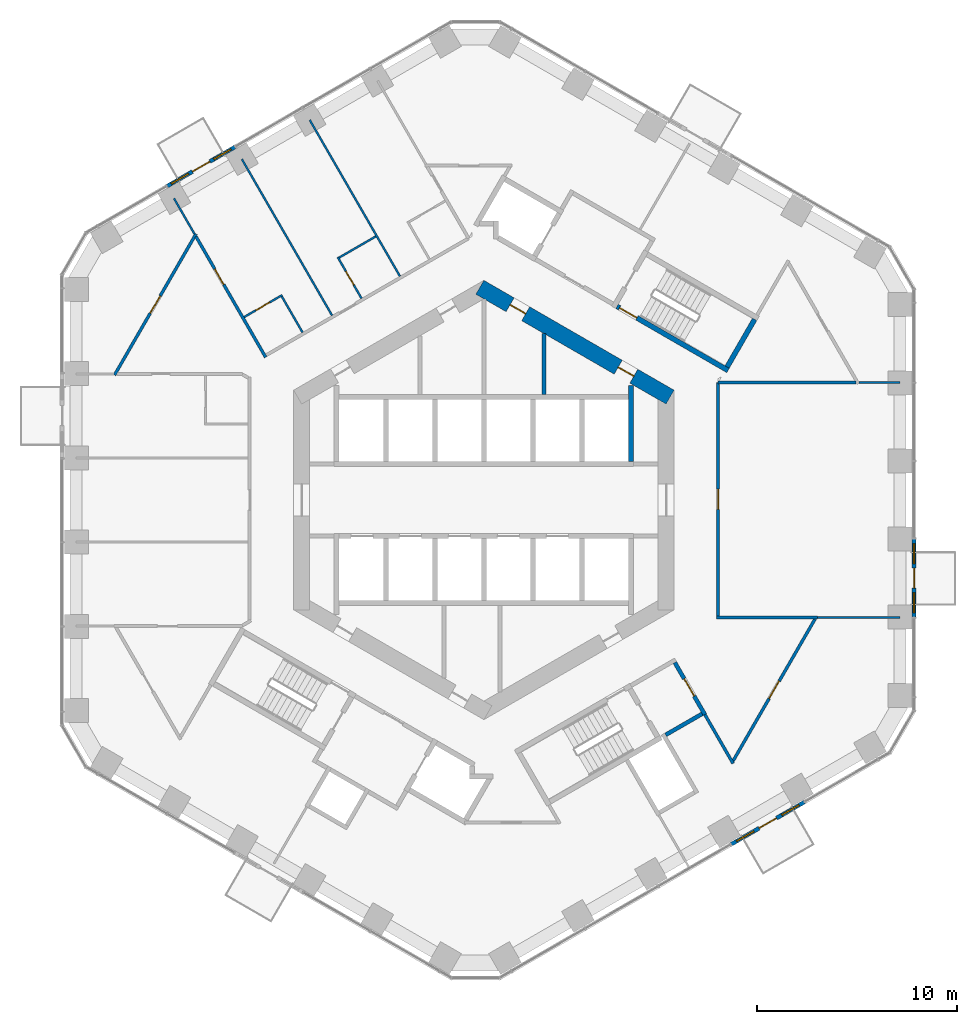
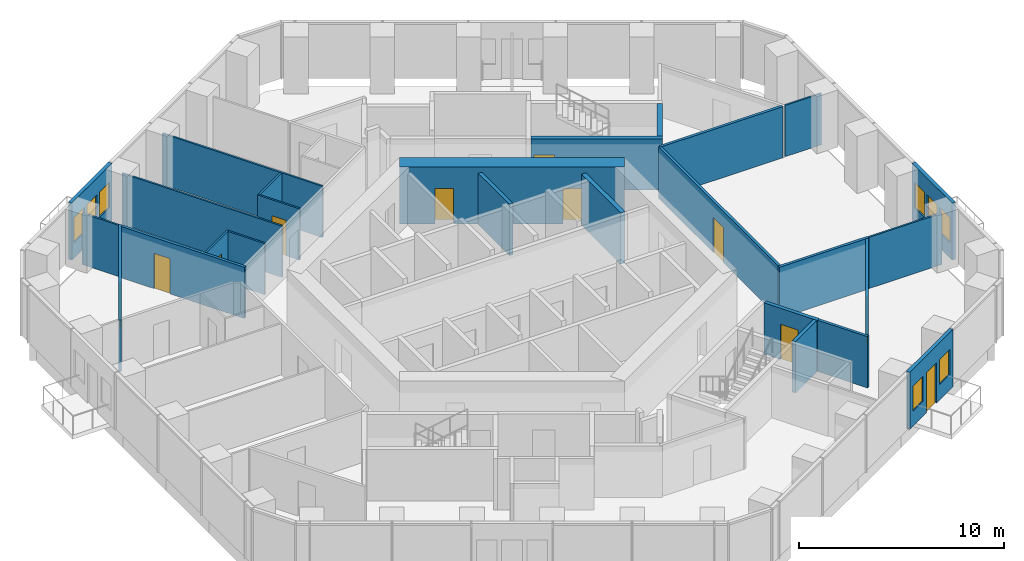
# One storey, part 15 of 20: 26 walls, 13 doors, 6 windows, 19 openings.
"""IFC4 building model written with IfcOpenShell, lengths in metres."""

import ifcopenshell
import ifcopenshell.guid

model = None  # the IFC model being written
_history = None  # IfcOwnerHistory: only IFC2X3 demands one
_inside = {}  # id of a spatial element -> (the spatial element, [elements in it])
_under = {}  # id of a project, library or spatial element -> (it, [spatial elements below it])
_declared = {}  # id of a project -> (the project, [libraries it declares])
_typed = {}  # id of a type object -> (the type object, [elements of that type])
_made_of = {}  # id of a material, layer set ... -> (it, [elements and type objects made of it])


def new_model(schema):
    """Start an empty IFC model of exactly this schema.

    Asked for "IFC4X3", IfcOpenShell would pick the latest addendum, in which some entities
    have other attributes; the version numbers below select the first issue.
    IFC2X3 requires an IfcOwnerHistory on every rooted entity: one is made here for all.
    """
    global model, _history
    if schema == "IFC4X3":
        model = ifcopenshell.file(schema_version=(4, 3, 0, 0))
    else:
        model = ifcopenshell.file(schema=schema)
    _inside.clear()
    _under.clear()
    _declared.clear()
    _typed.clear()
    _made_of.clear()
    _history = None
    if model.schema == "IFC2X3":
        org = make("IfcOrganization", Name="unknown")
        user = make(
            "IfcPersonAndOrganization",
            ThePerson=make("IfcPerson", FamilyName="unknown"),
            TheOrganization=org,
        )
        app = make(
            "IfcApplication",
            ApplicationDeveloper=org,
            Version="unknown",
            ApplicationFullName="unknown",
            ApplicationIdentifier="unknown",
        )
        _history = make(
            "IfcOwnerHistory",
            OwningUser=user,
            OwningApplication=app,
            ChangeAction="ADDED",
            CreationDate=0,
        )
    return model


def make(cls, **values):
    """One entity of the class cls with the attributes given. An attribute that is None is left unset."""
    return model.create_entity(
        cls, **{name: value for name, value in values.items() if value is not None}
    )


def rooted(cls, **values):
    """An entity with a GlobalId (a new one), such as an element, a storey or a relation."""
    return make(cls, GlobalId=ifcopenshell.guid.new(), OwnerHistory=_history, **values)


def si_unit(unit_type, name, prefix=None):
    """IfcSIUnit, for example si_unit("LENGTHUNIT", "METRE", prefix="MILLI")."""
    return make("IfcSIUnit", UnitType=unit_type, Prefix=prefix, Name=name)


def assignment(units):
    """IfcUnitAssignment: the units of a project."""
    return None if units is None else make("IfcUnitAssignment", Units=units)


def point(xyz):
    """IfcCartesianPoint."""
    return None if xyz is None else make("IfcCartesianPoint", Coordinates=xyz)


def direction(xyz):
    """IfcDirection."""
    return None if xyz is None else make("IfcDirection", DirectionRatios=xyz)


def frame(location, z_axis=None, x_axis=None):
    """IfcAxis2Placement3D, a coordinate frame: its origin and axes. An axis left out is left unset."""
    return make(
        "IfcAxis2Placement3D",
        Location=point(location),
        Axis=direction(z_axis),
        RefDirection=direction(x_axis),
    )


def frame_2d(location, x_axis=None):
    """IfcAxis2Placement2D, a coordinate frame in the plane: its origin and x axis."""
    return make(
        "IfcAxis2Placement2D", Location=point(location), RefDirection=direction(x_axis)
    )


def origin():
    """The frame at (0, 0, 0) with its axes left unset."""
    return frame((0.0, 0.0, 0.0))


def place(relative_to, where):
    """IfcLocalPlacement: puts the frame where relative to a parent placement (None: the world)."""
    return make(
        "IfcLocalPlacement", PlacementRelTo=relative_to, RelativePlacement=where
    )


def context(
    kind, dimensions, precision=None, world=None, true_north=None, identifier=None
):
    """IfcGeometricRepresentationContext, for example the 3D "Model" context."""
    return make(
        "IfcGeometricRepresentationContext",
        ContextIdentifier=identifier,
        ContextType=kind,
        CoordinateSpaceDimension=dimensions,
        Precision=precision,
        WorldCoordinateSystem=world,
        TrueNorth=true_north,
    )


def subcontext(parent, identifier, kind, view, scale=None):
    """IfcGeometricRepresentationSubContext, for example "Body" below "Model"."""
    return make(
        "IfcGeometricRepresentationSubContext",
        ContextIdentifier=identifier,
        ContextType=kind,
        ParentContext=parent,
        TargetScale=scale,
        TargetView=view,
    )


def project(units=None, contexts=None):
    """IfcProject with its units and contexts."""
    return rooted(
        "IfcProject",
        Name="project",
        RepresentationContexts=contexts,
        UnitsInContext=assignment(units),
    )


def spatial(cls, under=None, at=None, **own):
    """A site, building, storey or space (cls), placed at a placement, below another one or the project."""
    s = rooted(cls, ObjectPlacement=at, **own)
    if under is not None:
        _under.setdefault(under.id(), (under, []))[1].append(s)
    return s


def profile(cls, at=None, kind="AREA", **sizes):
    """A parametric profile (cls). Its sizes go by their IFC names, for example OverallWidth=200.0."""
    return make(cls, ProfileType=kind, Position=at, **sizes)


def rectangle(**sizes):
    """IfcRectangleProfileDef."""
    return profile("IfcRectangleProfileDef", **sizes)


def extrude(swept, where, along, depth):
    """IfcExtrudedAreaSolid: the profile swept, set in the frame where, extruded along a direction by depth."""
    return make(
        "IfcExtrudedAreaSolid",
        SweptArea=swept,
        Position=where,
        ExtrudedDirection=direction(along),
        Depth=depth,
    )


def shape(context_of_items, identifier, shape_type, items):
    """IfcShapeRepresentation: the items that make up one representation, for example the "Body"."""
    return make(
        "IfcShapeRepresentation",
        ContextOfItems=context_of_items,
        RepresentationIdentifier=identifier,
        RepresentationType=shape_type,
        Items=items,
    )


def material(Name=None, Category=None):
    """IfcMaterial."""
    return make("IfcMaterial", Name=Name, Category=Category)


def layer(
    of_material, thickness, ventilated=None, Name=None, Category=None, Priority=None
):
    """IfcMaterialLayer: one layer of a wall or slab, of a material (None: an air gap)."""
    return make(
        "IfcMaterialLayer",
        Material=of_material,
        LayerThickness=thickness,
        IsVentilated=ventilated,
        Name=Name,
        Category=Category,
        Priority=Priority,
    )


def layer_set(layers, Name=None):
    """IfcMaterialLayerSet."""
    return make("IfcMaterialLayerSet", MaterialLayers=layers, LayerSetName=Name)


def made_of(thing, what):
    """Note that an element or type object is made of a material, layer set ...; save() writes the relation."""
    if what is not None:
        _made_of.setdefault(what.id(), (what, []))[1].append(thing)
    return thing


def type_object(cls, material=None, **own):
    """A type object (cls), such as IfcWallType, which elements share."""
    return made_of(rooted(cls, **own), material)


def element(
    cls,
    number,
    at=None,
    inside=None,
    cuts=None,
    type_object=None,
    material=None,
    context=None,
    identifier="Body",
    shape_type=None,
    held_by="IfcProductDefinitionShape",
    body=None,
    shapes=None,
    **own,
):
    """One element of the class cls, such as IfcWall. Its Tag is "e" and its number.

    at: its placement. inside: the storey or other place that contains it. cuts: it is an
    opening in that element (IfcRelVoidsElement). A single representation is given by context,
    identifier, shape_type and body (its items); several are given by shapes. held_by: the class
    of the entity that holds the representations. save() writes the other relations.
    """
    e = rooted(cls, Tag="e%d" % number, ObjectPlacement=at, **own)
    if body is not None:
        shapes = [shape(context, identifier, shape_type, body)]
    if shapes is not None:
        e.Representation = make(held_by, Representations=shapes)
    if inside is not None:
        _inside.setdefault(inside.id(), (inside, []))[1].append(e)
    if cuts is not None:
        rooted(
            "IfcRelVoidsElement", RelatingBuildingElement=cuts, RelatedOpeningElement=e
        )
    if type_object is not None:
        _typed.setdefault(type_object.id(), (type_object, []))[1].append(e)
    return made_of(e, material)


def fill(opening, filler):
    """IfcRelFillsElement: the door or window that sits in an opening."""
    return rooted(
        "IfcRelFillsElement",
        RelatingOpeningElement=opening,
        RelatedBuildingElement=filler,
    )


def aggregate(whole, parts):
    """IfcRelAggregates: a whole, such as a stair, and the parts it consists of."""
    return rooted("IfcRelAggregates", RelatingObject=whole, RelatedObjects=parts)


def save(model, path):
    """Write the relations noted so far, then the file.

    IfcRelAggregates (storeys below a building ...), IfcRelContainedInSpatialStructure (elements
    in a storey), IfcRelDefinesByType, IfcRelAssociatesMaterial and IfcRelDeclares: one each for
    every whole, place, type object, material and project.
    """
    for whole, parts in _under.values():
        aggregate(whole, parts)
    for where, things in _inside.values():
        rooted(
            "IfcRelContainedInSpatialStructure",
            RelatedElements=things,
            RelatingStructure=where,
        )
    for kind, things in _typed.values():
        rooted("IfcRelDefinesByType", RelatedObjects=things, RelatingType=kind)
    for what, things in _made_of.values():
        rooted("IfcRelAssociatesMaterial", RelatedObjects=things, RelatingMaterial=what)
    for by, libraries in _declared.values():
        rooted("IfcRelDeclares", RelatingContext=by, RelatedDefinitions=libraries)
    model.write(path)


model = new_model("IFC4")

# Units and contexts
model_context = context("Model", 3, precision=1e-05, world=origin(), true_north=direction((0.0, 1.0)))
body_context = subcontext(model_context, "Body", "Model", "MODEL_VIEW")
ifc_project = project(units=[si_unit("LENGTHUNIT", "METRE"), si_unit("AREAUNIT", "SQUARE_METRE"), si_unit("VOLUMEUNIT", "CUBIC_METRE"), si_unit("PLANEANGLEUNIT", "RADIAN"), si_unit("MASSUNIT", "GRAM", prefix="KILO")], contexts=[model_context])

# Site, building, storey
site_placement = place(None, origin())
site = spatial("IfcSite", under=ifc_project, at=site_placement, CompositionType="ELEMENT")
building_placement = place(site_placement, origin())
building = spatial("IfcBuilding", under=site, at=building_placement, Name="Ayvan Gate Tower", CompositionType="ELEMENT")
storey_placement = place(building_placement, frame((0.0, 0.0, 49.300048828125)))
storey = spatial("IfcBuildingStorey", under=building, at=storey_placement, Name="L12", CompositionType="ELEMENT", Elevation=49.300048828125)

# Wall, openings, door, windows
ifc_material_1 = material(Name="Insulated metal panel wall")
ifc_layer_1 = layer(ifc_material_1, 0.199951171875)
ifc_layer_set_1 = layer_set([ifc_layer_1], Name="Insulated metal panel wall")
wall_type_1 = type_object("IfcWallType", Name="Balcony door wall 200", PredefinedType="SOLIDWALL", material=ifc_layer_set_1)
wall_1_placement = place(storey_placement, frame((-12.431640625, 17.630859375, 0.0), z_axis=(0.0, 0.0, 1.0), x_axis=(-0.866028250644, -0.499995069063, 0.0)))
wall_1 = element("IfcWall", 1, at=wall_1_placement, inside=storey, type_object=wall_type_1, Name="EW:L12:2:3", PredefinedType="SOLIDWALL", context=body_context, shape_type="SweptSolid", body=[
    extrude(rectangle(XDim=3.90185546875, YDim=0.199951171875, at=frame_2d((1.950927734375, 0.0))), origin(), (0.0, 0.0, 1.0), 3.39990234375),
])
opening_1_placement = place(wall_1_placement, frame((1.450927734375, 0.0, 0.0)))
opening_1 = element("IfcOpeningElement", 2, at=opening_1_placement, cuts=wall_1, Name="Opening L12-D92", PredefinedType="OPENING", context=body_context, shape_type="SweptSolid", body=[
    extrude(rectangle(XDim=1.0, YDim=2.39990234375, at=frame_2d((0.5, 1.199951171875))), frame((0.0, 0.10986328125, 0.0), z_axis=(0.0, -1.0, 0.0), x_axis=(1.0, 0.0, 0.0)), (0.0, 0.0, 1.0), 0.219970703125),
])
opening_2_placement = place(wall_1_placement, frame((0.2255859375, 0.0, 0.89990234375)))
opening_2 = element("IfcOpeningElement", 3, at=opening_2_placement, cuts=wall_1, Name="Opening W-B1", PredefinedType="OPENING", context=body_context, shape_type="SweptSolid", body=[
    extrude(rectangle(XDim=1.0, YDim=1.5, at=frame_2d((0.5, 0.75))), frame((0.0, 0.10986328125, 0.0), z_axis=(0.0, -1.0, 0.0), x_axis=(1.0, 0.0, 0.0)), (0.0, 0.0, 1.0), 0.219970703125),
])
opening_3_placement = place(wall_1_placement, frame((2.676513671875, 0.0, 0.89990234375)))
opening_3 = element("IfcOpeningElement", 4, at=opening_3_placement, cuts=wall_1, Name="Opening W-B1", PredefinedType="OPENING", context=body_context, shape_type="SweptSolid", body=[
    extrude(rectangle(XDim=1.0, YDim=1.5, at=frame_2d((0.5, 0.75))), frame((0.0, 0.10986328125, 0.0), z_axis=(0.0, -1.0, 0.0), x_axis=(1.0, 0.0, 0.0)), (0.0, 0.0, 1.0), 0.219970703125),
])
ifc_material_2 = material(Name="Bronze anodised aluminium and clear glass", Category="aluminium")
door_type_1 = type_object("IfcDoorType", Name="Balcony door D-B", OperationType="SINGLE_SWING_RIGHT", PredefinedType="DOOR", material=ifc_material_2)
door_1_placement = place(opening_1_placement, origin())
door_1 = element("IfcDoor", 5, at=door_1_placement, inside=storey, type_object=door_type_1, Name="Balcony door BAL-L12-2", OperationType="SINGLE_SWING_RIGHT", OverallHeight=2.39990234375, OverallWidth=1.0, PredefinedType="DOOR", context=body_context, shape_type="SweptSolid", body=[
    extrude(rectangle(XDim=1.0, YDim=2.39990234375, at=frame_2d((0.5, 1.199951171875))), frame((0.0, 0.02490234375, 0.0), z_axis=(0.0, -1.0, 0.0), x_axis=(1.0, 0.0, 0.0)), (0.0, 0.0, 1.0), 0.050048828125),
])
fill(opening_1, door_1)
window_type = type_object("IfcWindowType", Name="Balcony side light W-B Z1", PartitioningType="SINGLE_PANEL", PredefinedType="WINDOW", material=ifc_material_2)
window_1_placement = place(opening_2_placement, origin())
window_1 = element("IfcWindow", 6, at=window_1_placement, inside=storey, type_object=window_type, Name="Balcony side light BAL-L12-2.1", OverallHeight=1.5, OverallWidth=1.0, PartitioningType="SINGLE_PANEL", PredefinedType="WINDOW", context=body_context, shape_type="SweptSolid", body=[
    extrude(rectangle(XDim=1.0, YDim=1.5, at=frame_2d((0.5, 0.75))), frame((0.0, 0.030029296875, 0.0), z_axis=(0.0, -1.0, 0.0), x_axis=(1.0, 0.0, 0.0)), (0.0, 0.0, 1.0), 0.06005859375),
])
fill(opening_2, window_1)
window_2_placement = place(opening_3_placement, origin())
window_2 = element("IfcWindow", 7, at=window_2_placement, inside=storey, type_object=window_type, Name="Balcony side light BAL-L12-2.2", OverallHeight=1.5, OverallWidth=1.0, PartitioningType="SINGLE_PANEL", PredefinedType="WINDOW", context=body_context, shape_type="SweptSolid", body=[
    extrude(rectangle(XDim=1.0, YDim=1.5, at=frame_2d((0.5, 0.75))), frame((0.0, 0.030029296875, 0.0), z_axis=(0.0, -1.0, 0.0), x_axis=(1.0, 0.0, 0.0)), (0.0, 0.0, 1.0), 0.06005859375),
])
fill(opening_3, window_2)

wall_2_placement = place(storey_placement, frame((12.357666015625, -17.19384765625, 0.0), z_axis=(0.0, 0.0, 1.0), x_axis=(0.866029143232, 0.499993523031, 0.0)))
wall_2 = element("IfcWall", 8, at=wall_2_placement, inside=storey, type_object=wall_type_1, Name="EW:L12:5:3", PredefinedType="SOLIDWALL", context=body_context, shape_type="SweptSolid", body=[
    extrude(rectangle(XDim=4.2099609375, YDim=0.199951171875, at=frame_2d((2.10498046875, 0.0))), origin(), (0.0, 0.0, 1.0), 3.39990234375),
])
opening_4_placement = place(wall_2_placement, frame((1.60498046875, 0.0, 0.0)))
opening_4 = element("IfcOpeningElement", 9, at=opening_4_placement, cuts=wall_2, Name="Opening L12-D95", PredefinedType="OPENING", context=body_context, shape_type="SweptSolid", body=[
    extrude(rectangle(XDim=1.0, YDim=2.39990234375, at=frame_2d((0.5, 1.199951171875))), frame((0.0, 0.10986328125, 0.0), z_axis=(0.0, -1.0, 0.0), x_axis=(1.0, 0.0, 0.0)), (0.0, 0.0, 1.0), 0.219970703125),
])
opening_5_placement = place(wall_2_placement, frame((0.302490234375, 0.0, 0.89990234375)))
opening_5 = element("IfcOpeningElement", 10, at=opening_5_placement, cuts=wall_2, Name="Opening W-B1", PredefinedType="OPENING", context=body_context, shape_type="SweptSolid", body=[
    extrude(rectangle(XDim=1.0, YDim=1.5, at=frame_2d((0.5, 0.75))), frame((0.0, 0.10986328125, 0.0), z_axis=(0.0, -1.0, 0.0), x_axis=(1.0, 0.0, 0.0)), (0.0, 0.0, 1.0), 0.219970703125),
])
opening_6_placement = place(wall_2_placement, frame((2.907470703125, 0.0, 0.89990234375)))
opening_6 = element("IfcOpeningElement", 11, at=opening_6_placement, cuts=wall_2, Name="Opening W-B1", PredefinedType="OPENING", context=body_context, shape_type="SweptSolid", body=[
    extrude(rectangle(XDim=1.0, YDim=1.5, at=frame_2d((0.5, 0.75))), frame((0.0, 0.10986328125, 0.0), z_axis=(0.0, -1.0, 0.0), x_axis=(1.0, 0.0, 0.0)), (0.0, 0.0, 1.0), 0.219970703125),
])
door_2_placement = place(opening_4_placement, origin())
door_2 = element("IfcDoor", 12, at=door_2_placement, inside=storey, type_object=door_type_1, Name="Balcony door BAL-L12-5", OperationType="SINGLE_SWING_RIGHT", OverallHeight=2.39990234375, OverallWidth=1.0, PredefinedType="DOOR", context=body_context, shape_type="SweptSolid", body=[
    extrude(rectangle(XDim=1.0, YDim=2.39990234375, at=frame_2d((0.5, 1.199951171875))), frame((0.0, 0.02490234375, 0.0), z_axis=(0.0, -1.0, 0.0), x_axis=(1.0, 0.0, 0.0)), (0.0, 0.0, 1.0), 0.050048828125),
])
fill(opening_4, door_2)
window_3_placement = place(opening_5_placement, origin())
window_3 = element("IfcWindow", 13, at=window_3_placement, inside=storey, type_object=window_type, Name="Balcony side light BAL-L12-5.1", OverallHeight=1.5, OverallWidth=1.0, PartitioningType="SINGLE_PANEL", PredefinedType="WINDOW", context=body_context, shape_type="SweptSolid", body=[
    extrude(rectangle(XDim=1.0, YDim=1.5, at=frame_2d((0.5, 0.75))), frame((0.0, 0.030029296875, 0.0), z_axis=(0.0, -1.0, 0.0), x_axis=(1.0, 0.0, 0.0)), (0.0, 0.0, 1.0), 0.06005859375),
])
fill(opening_5, window_3)
window_4_placement = place(opening_6_placement, origin())
window_4 = element("IfcWindow", 14, at=window_4_placement, inside=storey, type_object=window_type, Name="Balcony side light BAL-L12-5.2", OverallHeight=1.5, OverallWidth=1.0, PartitioningType="SINGLE_PANEL", PredefinedType="WINDOW", context=body_context, shape_type="SweptSolid", body=[
    extrude(rectangle(XDim=1.0, YDim=1.5, at=frame_2d((0.5, 0.75))), frame((0.0, 0.030029296875, 0.0), z_axis=(0.0, -1.0, 0.0), x_axis=(1.0, 0.0, 0.0)), (0.0, 0.0, 1.0), 0.06005859375),
])
fill(opening_6, window_4)

wall_3_placement = place(storey_placement, frame((21.484619140625, -5.852294921875, 0.0), z_axis=(0.0, 0.0, 1.0), x_axis=(0.0, 1.0, 0.0)))
wall_3 = element("IfcWall", 15, at=wall_3_placement, inside=storey, type_object=wall_type_1, Name="EW:L12:0:1", PredefinedType="SOLIDWALL", context=body_context, shape_type="SweptSolid", body=[
    extrude(rectangle(XDim=3.90185546875, YDim=0.199951171875, at=frame_2d((1.950927734375, 0.0))), origin(), (0.0, 0.0, 1.0), 3.39990234375),
])
opening_7_placement = place(wall_3_placement, frame((1.450927734375, 0.0, 0.0)))
opening_7 = element("IfcOpeningElement", 16, at=opening_7_placement, cuts=wall_3, Name="Opening L12-D90", PredefinedType="OPENING", context=body_context, shape_type="SweptSolid", body=[
    extrude(rectangle(XDim=1.0, YDim=2.39990234375, at=frame_2d((0.5, 1.199951171875))), frame((0.0, 0.10986328125, 0.0), z_axis=(0.0, -1.0, 0.0), x_axis=(1.0, 0.0, 0.0)), (0.0, 0.0, 1.0), 0.219970703125),
])
opening_8_placement = place(wall_3_placement, frame((0.2255859375, 0.0, 0.89990234375)))
opening_8 = element("IfcOpeningElement", 17, at=opening_8_placement, cuts=wall_3, Name="Opening W-B1", PredefinedType="OPENING", context=body_context, shape_type="SweptSolid", body=[
    extrude(rectangle(XDim=1.0, YDim=1.5, at=frame_2d((0.5, 0.75))), frame((0.0, 0.10986328125, 0.0), z_axis=(0.0, -1.0, 0.0), x_axis=(1.0, 0.0, 0.0)), (0.0, 0.0, 1.0), 0.219970703125),
])
opening_9_placement = place(wall_3_placement, frame((2.676513671875, 0.0, 0.89990234375)))
opening_9 = element("IfcOpeningElement", 18, at=opening_9_placement, cuts=wall_3, Name="Opening W-B1", PredefinedType="OPENING", context=body_context, shape_type="SweptSolid", body=[
    extrude(rectangle(XDim=1.0, YDim=1.5, at=frame_2d((0.5, 0.75))), frame((0.0, 0.10986328125, 0.0), z_axis=(0.0, -1.0, 0.0), x_axis=(1.0, 0.0, 0.0)), (0.0, 0.0, 1.0), 0.219970703125),
])
door_3_placement = place(opening_7_placement, origin())
door_3 = element("IfcDoor", 19, at=door_3_placement, inside=storey, type_object=door_type_1, Name="Balcony door BAL-L12-0", OperationType="SINGLE_SWING_RIGHT", OverallHeight=2.39990234375, OverallWidth=1.0, PredefinedType="DOOR", context=body_context, shape_type="SweptSolid", body=[
    extrude(rectangle(XDim=1.0, YDim=2.39990234375, at=frame_2d((0.5, 1.199951171875))), frame((0.0, 0.02490234375, 0.0), z_axis=(0.0, -1.0, 0.0), x_axis=(1.0, 0.0, 0.0)), (0.0, 0.0, 1.0), 0.050048828125),
])
fill(opening_7, door_3)
window_5_placement = place(opening_8_placement, origin())
window_5 = element("IfcWindow", 20, at=window_5_placement, inside=storey, type_object=window_type, Name="Balcony side light BAL-L12-0.1", OverallHeight=1.5, OverallWidth=1.0, PartitioningType="SINGLE_PANEL", PredefinedType="WINDOW", context=body_context, shape_type="SweptSolid", body=[
    extrude(rectangle(XDim=1.0, YDim=1.5, at=frame_2d((0.5, 0.75))), frame((0.0, 0.030029296875, 0.0), z_axis=(0.0, -1.0, 0.0), x_axis=(1.0, 0.0, 0.0)), (0.0, 0.0, 1.0), 0.06005859375),
])
fill(opening_8, window_5)
window_6_placement = place(opening_9_placement, origin())
window_6 = element("IfcWindow", 21, at=window_6_placement, inside=storey, type_object=window_type, Name="Balcony side light BAL-L12-0.2", OverallHeight=1.5, OverallWidth=1.0, PartitioningType="SINGLE_PANEL", PredefinedType="WINDOW", context=body_context, shape_type="SweptSolid", body=[
    extrude(rectangle(XDim=1.0, YDim=1.5, at=frame_2d((0.5, 0.75))), frame((0.0, 0.030029296875, 0.0), z_axis=(0.0, -1.0, 0.0), x_axis=(1.0, 0.0, 0.0)), (0.0, 0.0, 1.0), 0.06005859375),
])
fill(opening_9, window_6)

# Wall, openings, doors
ifc_material_3 = material(Name="Concrete C70/85", Category="concrete")
ifc_layer_2 = layer(ifc_material_3, 0.800048828125)
ifc_layer_set_2 = layer_set([ifc_layer_2], Name="Concrete C70/85")
wall_type_2 = type_object("IfcWallType", Name="Core wall 800 C70/85", PredefinedType="SHEAR", material=ifc_layer_set_2)
wall_4_placement = place(storey_placement, frame((9.300048828125, 5.138427734375, 0.0), z_axis=(0.0, 0.0, 1.0), x_axis=(-0.866023993627, 0.500002442456, 0.0)))
wall_4 = element("IfcWall", 22, at=wall_4_placement, inside=storey, type_object=wall_type_2, Name="CORE-L12-1", PredefinedType="SHEAR", context=body_context, shape_type="SweptSolid", body=[
    extrude(rectangle(XDim=10.9697265625, YDim=0.800048828125, at=frame_2d((5.48486328125, 0.0))), origin(), (0.0, 0.0, 1.0), 3.39990234375),
])
opening_10_placement = place(wall_4_placement, frame((8.326416015625, 0.0, 0.0)))
opening_10 = element("IfcOpeningElement", 23, at=opening_10_placement, cuts=wall_4, Name="Opening L12-D98", PredefinedType="OPENING", context=body_context, shape_type="SweptSolid", body=[
    extrude(rectangle(XDim=0.89990234375, YDim=2.10009765625, at=frame_2d((0.449951171875, 1.050048828125))), frame((0.0, 0.409912109375, 0.0), z_axis=(0.0, -1.0, 0.0), x_axis=(1.0, 0.0, 0.0)), (0.0, 0.0, 1.0), 0.820068359375),
])
opening_11_placement = place(wall_4_placement, frame((2.09130859375, 0.0, 0.0)))
opening_11 = element("IfcOpeningElement", 24, at=opening_11_placement, cuts=wall_4, Name="Opening L12-D99", PredefinedType="OPENING", context=body_context, shape_type="SweptSolid", body=[
    extrude(rectangle(XDim=0.89990234375, YDim=2.10009765625, at=frame_2d((0.449951171875, 1.050048828125))), frame((0.0, 0.409912109375, 0.0), z_axis=(0.0, -1.0, 0.0), x_axis=(1.0, 0.0, 0.0)), (0.0, 0.0, 1.0), 0.820068359375),
])
ifc_material_4 = material(Name="Timber door leaf", Category="wood")
door_type_2 = type_object("IfcDoorType", Name="DT-900", OperationType="NOTDEFINED", PredefinedType="DOOR", material=ifc_material_4)
door_4_placement = place(opening_10_placement, origin())
door_4 = element("IfcDoor", 25, at=door_4_placement, inside=storey, type_object=door_type_2, Name="CD-L12-98", OperationType="SINGLE_SWING_RIGHT", OverallHeight=2.10009765625, OverallWidth=0.89990234375, PredefinedType="DOOR", context=body_context, shape_type="SweptSolid", body=[
    extrude(rectangle(XDim=0.89990234375, YDim=2.10009765625, at=frame_2d((0.449951171875, 1.050048828125))), frame((0.0, 0.02490234375, 0.0), z_axis=(0.0, -1.0, 0.0), x_axis=(1.0, 0.0, 0.0)), (0.0, 0.0, 1.0), 0.050048828125),
])
fill(opening_10, door_4)
door_5_placement = place(opening_11_placement, origin())
door_5 = element("IfcDoor", 26, at=door_5_placement, inside=storey, type_object=door_type_2, Name="CD-L12-99", OperationType="SINGLE_SWING_LEFT", OverallHeight=2.10009765625, OverallWidth=0.89990234375, PredefinedType="DOOR", context=body_context, shape_type="SweptSolid", body=[
    extrude(rectangle(XDim=0.89990234375, YDim=2.10009765625, at=frame_2d((0.449951171875, 1.050048828125))), frame((0.0, 0.02490234375, 0.0), z_axis=(0.0, -1.0, 0.0), x_axis=(1.0, 0.0, 0.0)), (0.0, 0.0, 1.0), 0.050048828125),
])
fill(opening_11, door_5)

# Wall, opening, door
ifc_material_5 = material(Name="Plasterboard on steel stud", Category="steel")
ifc_layer_3 = layer(ifc_material_5, 0.14990234375)
ifc_layer_set_3 = layer_set([ifc_layer_3], Name="Plasterboard on steel stud")
wall_type_3 = type_object("IfcWallType", Name="WT-CORR-150", PredefinedType="PARTITIONING", material=ifc_layer_set_3)
wall_5_placement = place(storey_placement, frame((-18.44775390625, 6.23974609375, 0.0), z_axis=(0.0, 0.0, 1.0), x_axis=(0.499997699084, 0.866026732215, 0.0)))
wall_5 = element("IfcWall", 27, at=wall_5_placement, inside=storey, type_object=wall_type_3, Name="IW-L12-002", PredefinedType="PARTITIONING", context=body_context, shape_type="SweptSolid", body=[
    extrude(rectangle(XDim=8.138671875, YDim=0.14990234375, at=frame_2d((4.0693359375, 0.0))), origin(), (0.0, 0.0, 1.0), 3.050048828125),
])
opening_12_placement = place(wall_5_placement, frame((3.5693359375, 0.0, 0.0)))
opening_12 = element("IfcOpeningElement", 28, at=opening_12_placement, cuts=wall_5, Name="Opening L12-D20", PredefinedType="OPENING", context=body_context, shape_type="SweptSolid", body=[
    extrude(rectangle(XDim=1.0, YDim=2.10009765625, at=frame_2d((0.5, 1.050048828125))), frame((0.0, 0.0849609375, 0.0), z_axis=(0.0, -1.0, 0.0), x_axis=(1.0, 0.0, 0.0)), (0.0, 0.0, 1.0), 0.169921875),
])
door_type_3 = type_object("IfcDoorType", Name="DT-1000", OperationType="NOTDEFINED", PredefinedType="DOOR", material=ifc_material_4)
door_6_placement = place(opening_12_placement, origin())
door_6 = element("IfcDoor", 29, at=door_6_placement, inside=storey, type_object=door_type_3, Name="ID-L12-020", OperationType="SINGLE_SWING_RIGHT", OverallHeight=2.10009765625, OverallWidth=1.0, PredefinedType="DOOR", context=body_context, shape_type="SweptSolid", body=[
    extrude(rectangle(XDim=1.0, YDim=2.10009765625, at=frame_2d((0.5, 1.050048828125))), frame((0.0, 0.02490234375, 0.0), z_axis=(0.0, -1.0, 0.0), x_axis=(1.0, 0.0, 0.0)), (0.0, 0.0, 1.0), 0.050048828125),
])
fill(opening_12, door_6)

wall_6_placement = place(storey_placement, frame((-14.37841796875, 13.158203125, 0.0), z_axis=(0.0, 0.0, 1.0), x_axis=(0.499998787219, -0.866026103983, 0.0)))
wall_6 = element("IfcWall", 30, at=wall_6_placement, inside=storey, type_object=wall_type_3, Name="IW-L12-006", PredefinedType="PARTITIONING", context=body_context, shape_type="SweptSolid", body=[
    extrude(rectangle(XDim=6.95947265625, YDim=0.14990234375, at=frame_2d((3.479736328125, 0.0))), origin(), (0.0, 0.0, 1.0), 3.050048828125),
])
opening_13_placement = place(wall_6_placement, frame((1.877197265625, 0.0, 0.0)))
opening_13 = element("IfcOpeningElement", 31, at=opening_13_placement, cuts=wall_6, Name="Opening L12-D32", PredefinedType="OPENING", context=body_context, shape_type="SweptSolid", body=[
    extrude(rectangle(XDim=0.89990234375, YDim=2.10009765625, at=frame_2d((0.449951171875, 1.050048828125))), frame((0.0, 0.0849609375, 0.0), z_axis=(0.0, -1.0, 0.0), x_axis=(1.0, 0.0, 0.0)), (0.0, 0.0, 1.0), 0.169921875),
])
door_7_placement = place(opening_13_placement, origin())
door_7 = element("IfcDoor", 32, at=door_7_placement, inside=storey, type_object=door_type_2, Name="ID-L12-032", OperationType="SINGLE_SWING_RIGHT", OverallHeight=2.10009765625, OverallWidth=0.89990234375, PredefinedType="DOOR", context=body_context, shape_type="SweptSolid", body=[
    extrude(rectangle(XDim=0.89990234375, YDim=2.10009765625, at=frame_2d((0.449951171875, 1.050048828125))), frame((0.0, 0.02490234375, 0.0), z_axis=(0.0, -1.0, 0.0), x_axis=(1.0, 0.0, 0.0)), (0.0, 0.0, 1.0), 0.050048828125),
])
fill(opening_13, door_7)

# Wall
wall_7_placement = place(storey_placement, frame((11.625, -5.873046875, 0.0), z_axis=(0.0, 0.0, 1.0), x_axis=(1.0, 0.0, 0.0)))
element("IfcWall", 33, at=wall_7_placement, inside=storey, type_object=wall_type_3, Name="IW-L12-103", PredefinedType="PARTITIONING", context=body_context, shape_type="SweptSolid", body=[
    extrude(rectangle(XDim=5.031005859375, YDim=0.14990234375, at=frame_2d((2.515625, 0.0))), origin(), (0.0, 0.0, 1.0), 3.050048828125),
])

# Wall, opening, door
wall_8_placement = place(storey_placement, frame((11.699951171875, 5.873046875, 0.0), z_axis=(0.0, 0.0, 1.0), x_axis=(0.0, -1.0, 0.0)))
wall_8 = element("IfcWall", 34, at=wall_8_placement, inside=storey, type_object=wall_type_3, Name="IW-L12-104", PredefinedType="PARTITIONING", context=body_context, shape_type="SweptSolid", body=[
    extrude(rectangle(XDim=11.671142578125, YDim=0.14990234375, at=frame_2d((5.83544921875, 0.0))), origin(), (0.0, 0.0, 1.0), 3.050048828125),
])
opening_14_placement = place(wall_8_placement, frame((5.335693359375, 0.0, 0.0)))
opening_14 = element("IfcOpeningElement", 35, at=opening_14_placement, cuts=wall_8, Name="Opening L12-D17", PredefinedType="OPENING", context=body_context, shape_type="SweptSolid", body=[
    extrude(rectangle(XDim=1.0, YDim=2.10009765625, at=frame_2d((0.5, 1.050048828125))), frame((0.0, 0.0849609375, 0.0), z_axis=(0.0, -1.0, 0.0), x_axis=(1.0, 0.0, 0.0)), (0.0, 0.0, 1.0), 0.169921875),
])
door_8_placement = place(opening_14_placement, origin())
door_8 = element("IfcDoor", 36, at=door_8_placement, inside=storey, type_object=door_type_3, Name="ID-L12-017", OperationType="SINGLE_SWING_LEFT", OverallHeight=2.10009765625, OverallWidth=1.0, PredefinedType="DOOR", context=body_context, shape_type="SweptSolid", body=[
    extrude(rectangle(XDim=1.0, YDim=2.10009765625, at=frame_2d((0.5, 1.050048828125))), frame((0.0, 0.02490234375, 0.0), z_axis=(0.0, -1.0, 0.0), x_axis=(1.0, 0.0, 0.0)), (0.0, 0.0, 1.0), 0.050048828125),
])
fill(opening_14, door_8)

# Wall
wall_9_placement = place(storey_placement, frame((12.4482421875, -13.160888671875, 0.0), z_axis=(0.0, 0.0, 1.0), x_axis=(-0.499982078236, 0.866035750673, 0.0)))
element("IfcWall", 37, at=wall_9_placement, inside=storey, type_object=wall_type_3, Name="IW-L12-106", PredefinedType="PARTITIONING", context=body_context, shape_type="SweptSolid", body=[
    extrude(rectangle(XDim=2.82177734375, YDim=0.14990234375, at=frame_2d((1.410888671875, 0.0))), origin(), (0.0, 0.0, 1.0), 3.050048828125),
])

# Wall, opening, door
wall_10_placement = place(storey_placement, frame((16.54345703125, -5.93798828125, 0.0), z_axis=(0.0, 0.0, 1.0), x_axis=(-0.500005424275, -0.866022272055, 0.0)))
wall_10 = element("IfcWall", 38, at=wall_10_placement, inside=storey, type_object=wall_type_3, Name="IW-L12-110", PredefinedType="PARTITIONING", context=body_context, shape_type="SweptSolid", body=[
    extrude(rectangle(XDim=8.1904296875, YDim=0.14990234375, at=frame_2d((4.09521484375, 0.0))), origin(), (0.0, 0.0, 1.0), 3.050048828125),
])
opening_15_placement = place(wall_10_placement, frame((3.59521484375, 0.0, 0.0)))
opening_15 = element("IfcOpeningElement", 39, at=opening_15_placement, cuts=wall_10, Name="Opening L12-D27", PredefinedType="OPENING", context=body_context, shape_type="SweptSolid", body=[
    extrude(rectangle(XDim=1.0, YDim=2.10009765625, at=frame_2d((0.5, 1.050048828125))), frame((0.0, 0.0849609375, 0.0), z_axis=(0.0, -1.0, 0.0), x_axis=(1.0, 0.0, 0.0)), (0.0, 0.0, 1.0), 0.169921875),
])
door_9_placement = place(opening_15_placement, origin())
door_9 = element("IfcDoor", 40, at=door_9_placement, inside=storey, type_object=door_type_3, Name="ID-L12-027", OperationType="SINGLE_SWING_LEFT", OverallHeight=2.10009765625, OverallWidth=1.0, PredefinedType="DOOR", context=body_context, shape_type="SweptSolid", body=[
    extrude(rectangle(XDim=1.0, YDim=2.10009765625, at=frame_2d((0.5, 1.050048828125))), frame((0.0, 0.02490234375, 0.0), z_axis=(0.0, -1.0, 0.0), x_axis=(1.0, 0.0, 0.0)), (0.0, 0.0, 1.0), 0.050048828125),
])
fill(opening_15, door_9)

# Walls
wall_11_placement = place(storey_placement, frame((18.58447265625, 5.873046875, 0.0), z_axis=(0.0, 0.0, 1.0), x_axis=(-1.0, 0.0, 0.0)))
element("IfcWall", 41, at=wall_11_placement, inside=storey, type_object=wall_type_3, Name="IW-L12-112", PredefinedType="PARTITIONING", context=body_context, shape_type="SweptSolid", body=[
    extrude(rectangle(XDim=6.8798828125, YDim=0.14990234375, at=frame_2d((3.43994140625, 0.0))), origin(), (0.0, 0.0, 1.0), 3.050048828125),
])
ifc_layer_4 = layer(ifc_material_5, 0.10009765625)
ifc_layer_set_4 = layer_set([ifc_layer_4], Name="Plasterboard on steel stud")
wall_type_4 = type_object("IfcWallType", Name="WT-PART-100", PredefinedType="PARTITIONING", material=ifc_layer_set_4)
wall_12_placement = place(storey_placement, frame((-15.478515625, 15.0634765625, 0.0), z_axis=(0.0, 0.0, 1.0), x_axis=(0.500045446624, -0.865999163574, 0.0)))
element("IfcWall", 42, at=wall_12_placement, inside=storey, type_object=wall_type_4, Name="IW-L12-004", PredefinedType="PARTITIONING", context=body_context, shape_type="SweptSolid", body=[
    extrude(rectangle(XDim=2.050048828125, YDim=0.10009765625, at=frame_2d((1.02490234375, 0.0))), origin(), (0.0, 0.0, 1.0), 3.050048828125),
])

# Wall, opening, door
wall_13_placement = place(storey_placement, frame((-10.07421875, 10.23388671875, 0.0), z_axis=(0.0, 0.0, 1.0), x_axis=(-0.866074224396, -0.499915430684, 0.0)))
wall_13 = element("IfcWall", 43, at=wall_13_placement, inside=storey, type_object=wall_type_4, Name="IW-L12-019", PredefinedType="PARTITIONING", context=body_context, shape_type="SweptSolid", body=[
    extrude(rectangle(XDim=2.1904296875, YDim=0.10009765625, at=frame_2d((1.09521484375, 0.0))), origin(), (0.0, 0.0, 1.0), 3.050048828125),
])
opening_16_placement = place(wall_13_placement, frame((0.72021484375, 0.0, 0.0)))
opening_16 = element("IfcOpeningElement", 44, at=opening_16_placement, cuts=wall_13, Name="Opening L12-D33", PredefinedType="OPENING", context=body_context, shape_type="SweptSolid", body=[
    extrude(rectangle(XDim=0.800048828125, YDim=2.10009765625, at=frame_2d((0.39990234375, 1.050048828125))), frame((0.0, 0.06005859375, 0.0), z_axis=(0.0, -1.0, 0.0), x_axis=(1.0, 0.0, 0.0)), (0.0, 0.0, 1.0), 0.1201171875),
])
door_type_4 = type_object("IfcDoorType", Name="DT-800", OperationType="NOTDEFINED", PredefinedType="DOOR", material=ifc_material_4)
door_10_placement = place(opening_16_placement, origin())
door_10 = element("IfcDoor", 45, at=door_10_placement, inside=storey, type_object=door_type_4, Name="ID-L12-033", OperationType="SINGLE_SWING_LEFT", OverallHeight=2.10009765625, OverallWidth=0.800048828125, PredefinedType="DOOR", context=body_context, shape_type="SweptSolid", body=[
    extrude(rectangle(XDim=0.800048828125, YDim=2.10009765625, at=frame_2d((0.39990234375, 1.050048828125))), frame((0.0, 0.02490234375, 0.0), z_axis=(0.0, -1.0, 0.0), x_axis=(1.0, 0.0, 0.0)), (0.0, 0.0, 1.0), 0.050048828125),
])
fill(opening_16, door_10)

# Walls
wall_14_placement = place(storey_placement, frame((-9.05517578125, 8.36865234375, 0.0), z_axis=(0.0, 0.0, 1.0), x_axis=(-0.499973702503, 0.866040586119, 0.0)))
element("IfcWall", 46, at=wall_14_placement, inside=storey, type_object=wall_type_4, Name="IW-L12-020", PredefinedType="PARTITIONING", context=body_context, shape_type="SweptSolid", body=[
    extrude(rectangle(XDim=2.07470703125, YDim=0.10009765625, at=frame_2d((1.037353515625, 0.0))), origin(), (0.0, 0.0, 1.0), 3.050048828125),
])
wall_15_placement = place(storey_placement, frame((-7.5830078125, 9.218505859375, 0.0), z_axis=(0.0, 0.0, 1.0), x_axis=(-0.499977347544, 0.866038481791, 0.0)))
element("IfcWall", 47, at=wall_15_placement, inside=storey, type_object=wall_type_4, Name="IW-L12-027", PredefinedType="PARTITIONING", context=body_context, shape_type="SweptSolid", body=[
    extrude(rectangle(XDim=9.009765625, YDim=0.10009765625, at=frame_2d((4.5048828125, 0.0))), origin(), (0.0, 0.0, 1.0), 3.050048828125),
])

# Wall, opening, door
wall_16_placement = place(storey_placement, frame((-7.298095703125, 12.12548828125, 0.0), z_axis=(0.0, 0.0, 1.0), x_axis=(0.499986429846, -0.866033238375, 0.0)))
wall_16 = element("IfcWall", 48, at=wall_16_placement, inside=storey, type_object=wall_type_4, Name="IW-L12-033", PredefinedType="PARTITIONING", context=body_context, shape_type="SweptSolid", body=[
    extrude(rectangle(XDim=2.375, YDim=0.10009765625, at=frame_2d((1.1875, 0.0))), origin(), (0.0, 0.0, 1.0), 3.050048828125),
])
opening_17_placement = place(wall_16_placement, frame((0.8125, 0.0, 0.0)))
opening_17 = element("IfcOpeningElement", 49, at=opening_17_placement, cuts=wall_16, Name="Opening L12-D31", PredefinedType="OPENING", context=body_context, shape_type="SweptSolid", body=[
    extrude(rectangle(XDim=0.800048828125, YDim=2.10009765625, at=frame_2d((0.39990234375, 1.050048828125))), frame((0.0, 0.06005859375, 0.0), z_axis=(0.0, -1.0, 0.0), x_axis=(1.0, 0.0, 0.0)), (0.0, 0.0, 1.0), 0.1201171875),
])
door_11_placement = place(opening_17_placement, origin())
door_11 = element("IfcDoor", 50, at=door_11_placement, inside=storey, type_object=door_type_4, Name="ID-L12-031", OperationType="SINGLE_SWING_LEFT", OverallHeight=2.10009765625, OverallWidth=0.800048828125, PredefinedType="DOOR", context=body_context, shape_type="SweptSolid", body=[
    extrude(rectangle(XDim=0.800048828125, YDim=2.10009765625, at=frame_2d((0.39990234375, 1.050048828125))), frame((0.0, 0.02490234375, 0.0), z_axis=(0.0, -1.0, 0.0), x_axis=(1.0, 0.0, 0.0)), (0.0, 0.0, 1.0), 0.050048828125),
])
fill(opening_17, door_11)

# Walls
wall_17_placement = place(storey_placement, frame((-5.39794921875, 13.164794921875, 0.0), z_axis=(0.0, 0.0, 1.0), x_axis=(-0.86601836006, -0.500012199891, 0.0)))
element("IfcWall", 51, at=wall_17_placement, inside=storey, type_object=wall_type_4, Name="IW-L12-039", PredefinedType="PARTITIONING", context=body_context, shape_type="SweptSolid", body=[
    extrude(rectangle(XDim=2.115234375, YDim=0.10009765625, at=frame_2d((1.0576171875, 0.0))), origin(), (0.0, 0.0, 1.0), 3.050048828125),
])
wall_18_placement = place(storey_placement, frame((-8.697021484375, 18.978759765625, 0.0), z_axis=(0.0, 0.0, 1.0), x_axis=(0.500009404554, -0.866019973994, 0.0)))
element("IfcWall", 52, at=wall_18_placement, inside=storey, type_object=wall_type_4, Name="IW-L12-040", PredefinedType="PARTITIONING", context=body_context, shape_type="SweptSolid", body=[
    extrude(rectangle(XDim=9.009521484375, YDim=0.10009765625, at=frame_2d((4.5048828125, 0.0))), origin(), (0.0, 0.0, 1.0), 3.050048828125),
])
wall_19_placement = place(storey_placement, frame((18.734375, 5.873046875, 0.0), z_axis=(0.0, 0.0, 1.0), x_axis=(1.0, 0.0, 0.0)))
element("IfcWall", 53, at=wall_19_placement, inside=storey, type_object=wall_type_4, Name="IW-L12-111", PredefinedType="PARTITIONING", context=body_context, shape_type="SweptSolid", body=[
    extrude(rectangle(XDim=2.05029296875, YDim=0.10009765625, at=frame_2d((1.025146484375, 0.0))), origin(), (0.0, 0.0, 1.0), 3.050048828125),
])
wall_20_placement = place(storey_placement, frame((20.78466796875, -5.873046875, 0.0), z_axis=(0.0, 0.0, 1.0), x_axis=(-1.0, 0.0, 0.0)))
element("IfcWall", 54, at=wall_20_placement, inside=storey, type_object=wall_type_4, Name="IW-L12-113", PredefinedType="PARTITIONING", context=body_context, shape_type="SweptSolid", body=[
    extrude(rectangle(XDim=4.128662109375, YDim=0.10009765625, at=frame_2d((2.064453125, 0.0))), origin(), (0.0, 0.0, 1.0), 3.050048828125),
])
ifc_layer_5 = layer(ifc_material_5, 0.199951171875)
ifc_layer_set_5 = layer_set([ifc_layer_5], Name="Plasterboard on steel stud")
wall_type_5 = type_object("IfcWallType", Name="WT-RATED-200", PredefinedType="PARTITIONING", material=ifc_layer_set_5)
wall_21_placement = place(storey_placement, frame((3.0, 8.313720703125, 0.0), z_axis=(0.0, 0.0, 1.0), x_axis=(0.0, -1.0, 0.0)))
element("IfcWall", 55, at=wall_21_placement, inside=storey, type_object=wall_type_5, Name="IW-L12-076", PredefinedType="PARTITIONING", context=body_context, shape_type="SweptSolid", body=[
    extrude(rectangle(XDim=3.038818359375, YDim=0.199951171875, at=frame_2d((1.51953125, 0.0))), origin(), (0.0, 0.0, 1.0), 3.050048828125),
])

# Wall, opening, door
wall_22_placement = place(storey_placement, frame((9.537353515625, -8.119140625, 0.0), z_axis=(0.0, 0.0, 1.0), x_axis=(0.499990139034, -0.866031096941, 0.0)))
wall_22 = element("IfcWall", 56, at=wall_22_placement, inside=storey, type_object=wall_type_5, Name="IW-L12-100", PredefinedType="PARTITIONING", context=body_context, shape_type="SweptSolid", body=[
    extrude(rectangle(XDim=3.0, YDim=0.199951171875, at=frame_2d((1.5, 0.0))), origin(), (0.0, 0.0, 1.0), 3.050048828125),
])
opening_18_placement = place(wall_22_placement, frame((0.93505859375, 0.0, 0.0)))
opening_18 = element("IfcOpeningElement", 57, at=opening_18_placement, cuts=wall_22, Name="Opening L12-D15", PredefinedType="OPENING", context=body_context, shape_type="SweptSolid", body=[
    extrude(rectangle(XDim=1.0, YDim=2.10009765625, at=frame_2d((0.5, 1.050048828125))), frame((0.0, 0.10986328125, 0.0), z_axis=(0.0, -1.0, 0.0), x_axis=(1.0, 0.0, 0.0)), (0.0, 0.0, 1.0), 0.219970703125),
])
door_12_placement = place(opening_18_placement, origin())
door_12 = element("IfcDoor", 58, at=door_12_placement, inside=storey, type_object=door_type_3, Name="ID-L12-015", OperationType="SINGLE_SWING_LEFT", OverallHeight=2.10009765625, OverallWidth=1.0, PredefinedType="DOOR", context=body_context, shape_type="SweptSolid", body=[
    extrude(rectangle(XDim=1.0, YDim=2.10009765625, at=frame_2d((0.5, 1.050048828125))), frame((0.0, 0.02490234375, 0.0), z_axis=(0.0, -1.0, 0.0), x_axis=(1.0, 0.0, 0.0)), (0.0, 0.0, 1.0), 0.050048828125),
])
fill(opening_18, door_12)

# Walls
wall_23_placement = place(storey_placement, frame((10.900634765625, -10.6806640625, 0.0), z_axis=(0.0, 0.0, 1.0), x_axis=(-0.866009402589, -0.500027713859, 0.0)))
element("IfcWall", 59, at=wall_23_placement, inside=storey, type_object=wall_type_5, Name="IW-L12-102", PredefinedType="PARTITIONING", context=body_context, shape_type="SweptSolid", body=[
    extrude(rectangle(XDim=2.10009765625, YDim=0.199951171875, at=frame_2d((1.050048828125, 0.0))), origin(), (0.0, 0.0, 1.0), 3.050048828125),
])
ifc_material_6 = material(Name="Concrete C50/60", Category="concrete")
ifc_layer_6 = layer(ifc_material_6, 0.25)
ifc_layer_set_6 = layer_set([ifc_layer_6], Name="Concrete C50/60")
wall_type_6 = type_object("IfcWallType", Name="WT-RC-250", PredefinedType="SHEAR", material=ifc_layer_set_6)
wall_24_placement = place(storey_placement, frame((7.35009765625, 5.730224609375, 0.0), z_axis=(0.0, 0.0, 1.0), x_axis=(0.0, -1.0, 0.0)))
element("IfcWall", 60, at=wall_24_placement, inside=storey, type_object=wall_type_6, Name="IW-L12-091", PredefinedType="SHEAR", context=body_context, shape_type="SweptSolid", body=[
    extrude(rectangle(XDim=3.80517578125, YDim=0.25, at=frame_2d((1.902587890625, 0.0))), origin(), (0.0, 0.0, 1.0), 3.050048828125),
])

# Wall, opening, door
wall_25_placement = place(storey_placement, frame((12.193603515625, 6.469970703125, 0.0), z_axis=(0.0, 0.0, 1.0), x_axis=(-0.866025499775, 0.499999833739, 0.0)))
wall_25 = element("IfcWall", 61, at=wall_25_placement, inside=storey, type_object=wall_type_6, Name="IW-L12-105", PredefinedType="SHEAR", context=body_context, shape_type="SweptSolid", body=[
    extrude(rectangle(XDim=6.39990234375, YDim=0.25, at=frame_2d((3.199951171875, 0.0))), origin(), (0.0, 0.0, 1.0), 3.050048828125),
])
opening_19_placement = place(wall_25_placement, frame((5.25, 0.0, 0.0)))
opening_19 = element("IfcOpeningElement", 62, at=opening_19_placement, cuts=wall_25, Name="Opening L12-D06", PredefinedType="OPENING", context=body_context, shape_type="SweptSolid", body=[
    extrude(rectangle(XDim=1.0, YDim=2.10009765625, at=frame_2d((0.5, 1.050048828125))), frame((0.0, 0.135009765625, 0.0), z_axis=(0.0, -1.0, 0.0), x_axis=(1.0, 0.0, 0.0)), (0.0, 0.0, 1.0), 0.27001953125),
])
door_13_placement = place(opening_19_placement, origin())
door_13 = element("IfcDoor", 63, at=door_13_placement, inside=storey, type_object=door_type_3, Name="ID-L12-006", OperationType="SINGLE_SWING_RIGHT", OverallHeight=2.10009765625, OverallWidth=1.0, PredefinedType="DOOR", context=body_context, shape_type="SweptSolid", body=[
    extrude(rectangle(XDim=1.0, YDim=2.10009765625, at=frame_2d((0.5, 1.050048828125))), frame((0.0, 0.02490234375, 0.0), z_axis=(0.0, -1.0, 0.0), x_axis=(1.0, 0.0, 0.0)), (0.0, 0.0, 1.0), 0.050048828125),
])
fill(opening_19, door_13)

# Wall
wall_26_placement = place(storey_placement, frame((13.52294921875, 9.022216796875, 0.0), z_axis=(0.0, 0.0, 1.0), x_axis=(-0.500034990121, -0.866005201286, 0.0)))
element("IfcWall", 64, at=wall_26_placement, inside=storey, type_object=wall_type_6, Name="IW-L12-108", PredefinedType="SHEAR", context=body_context, shape_type="SweptSolid", body=[
    extrude(rectangle(XDim=2.749755859375, YDim=0.25, at=frame_2d((1.375, 0.0))), origin(), (0.0, 0.0, 1.0), 3.050048828125),
])

save(model, "model.ifc")
